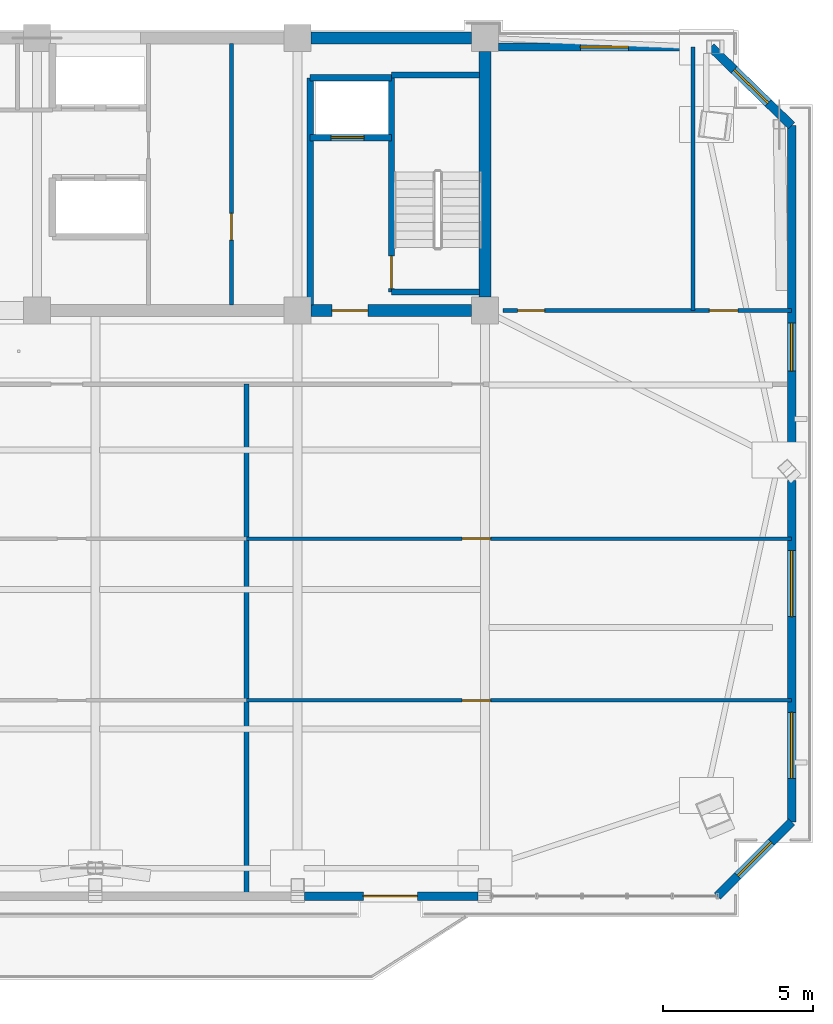
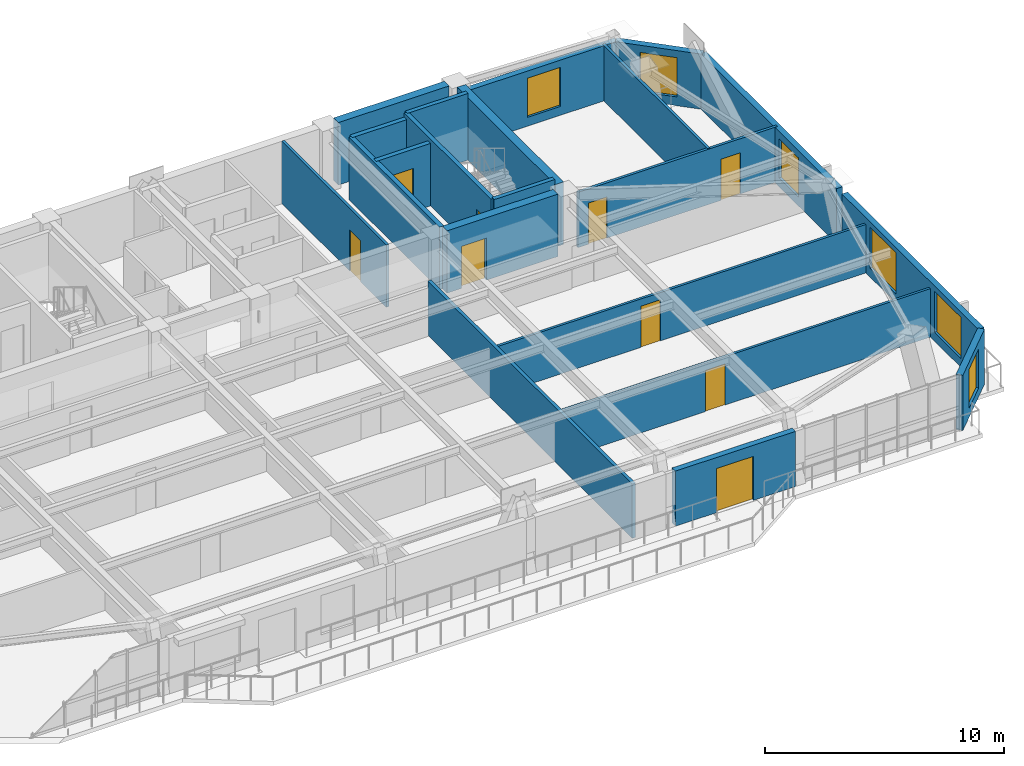
# One storey, part 10 of 15: 21 walls, 9 doors, 6 windows, 15 openings.
"""IFC4 building model written with IfcOpenShell, lengths in metres."""

from ifc_helpers import new_model, si_unit, direction, frame, frame_2d, origin, place, context, subcontext, project, spatial, rectangle, extrude, source, transform, mapped, material, layer, layer_set, type_object, element, fill, save


model = new_model("IFC4")

# Units and contexts
model_context = context("Model", 3, precision=1e-05, world=origin(), true_north=direction((0.0, 1.0)))
body_context = subcontext(model_context, "Body", "Model", "MODEL_VIEW")
ifc_project = project(units=[si_unit("LENGTHUNIT", "METRE"), si_unit("AREAUNIT", "SQUARE_METRE"), si_unit("VOLUMEUNIT", "CUBIC_METRE"), si_unit("PLANEANGLEUNIT", "RADIAN"), si_unit("MASSUNIT", "GRAM", prefix="KILO")], contexts=[model_context])

# Site, building, storey
site_placement = place(None, origin())
site = spatial("IfcSite", under=ifc_project, at=site_placement, CompositionType="ELEMENT")
building_placement = place(site_placement, origin())
building = spatial("IfcBuilding", under=site, at=building_placement, Name="Giltprow Tower", CompositionType="ELEMENT")
storey_placement = place(building_placement, frame((0.0, 0.0, 290.39990234375)))
storey = spatial("IfcBuildingStorey", under=building, at=storey_placement, Name="L74", CompositionType="ELEMENT", Elevation=290.39990234375)

# Wall, opening, window
ifc_material_1 = material(Name="Precast concrete C40", Category="concrete")
ifc_layer_1 = layer(ifc_material_1, 0.300048828125, Name="Precast concrete C40")
ifc_layer_set_1 = layer_set([ifc_layer_1], Name="Precast concrete C40")
wall_type_1 = type_object("IfcWallType", Name="EW-NOTCH-CHAMFER-300", PredefinedType="SOLIDWALL", material=ifc_layer_set_1)
wall_1_placement = place(storey_placement, frame((58.31396484375, 17.907958984375, 0.0), z_axis=(0.0, 0.0, 1.0), x_axis=(0.707106781187, 0.707106781187, 0.0)))
wall_1 = element("IfcWall", 1, at=wall_1_placement, inside=storey, type_object=wall_type_1, Name="L74 Corner Notch Wall SE", PredefinedType="SOLIDWALL", context=body_context, shape_type="SweptSolid", body=[
    extrude(rectangle(XDim=3.503173828125, YDim=0.300048828125, at=frame_2d((1.75146484375, 0.0))), origin(), (0.0, 0.0, 1.0), 2.815185546875),
])
opening_1_placement = place(wall_1_placement, frame((0.951904296875, 0.0, 0.449951171875)))
opening_1 = element("IfcOpeningElement", 2, at=opening_1_placement, cuts=wall_1, Name="Opening WN17", PredefinedType="OPENING", context=body_context, shape_type="SweptSolid", body=[
    extrude(rectangle(XDim=1.60009765625, YDim=2.0, at=frame_2d((0.800048828125, 1.0))), frame((0.0, 0.159912109375, 0.0), z_axis=(0.0, -1.0, 0.0), x_axis=(1.0, 0.0, 0.0)), (0.0, 0.0, 1.0), 0.320068359375),
])
ifc_material_2 = material(Name="Insulated glass", Category="glass")
window_type_1 = type_object("IfcWindowType", Name="WN-COR-1600x2000", PartitioningType="SINGLE_PANEL", PredefinedType="WINDOW", material=ifc_material_2)
shared_shape_1 = source(origin(), body_context, "Body", "SweptSolid", [
    extrude(rectangle(XDim=1.60009765625, YDim=2.0, at=frame_2d((0.800048828125, 1.0))), frame((0.0, 0.030029296875, 0.0), z_axis=(0.0, -1.0, 0.0), x_axis=(1.0, 0.0, 0.0)), (0.0, 0.0, 1.0), 0.06005859375),
])
window_1_placement = place(opening_1_placement, origin())
window_1 = element("IfcWindow", 3, at=window_1_placement, inside=storey, type_object=window_type_1, Name="L74 Corner Notch Window SE", OverallHeight=2.0, OverallWidth=1.60009765625, PartitioningType="SINGLE_PANEL", PredefinedType="WINDOW", context=body_context, shape_type="MappedRepresentation", body=[
    mapped(shared_shape_1, transform((0.0, 0.0, 0.0), x_axis=(1.0, 0.0, 0.0), y_axis=(0.0, 1.0, 0.0), z_axis=(0.0, 0.0, 1.0), scale=1.0)),
])
fill(opening_1, window_1)

wall_2_placement = place(storey_placement, frame((60.791015625, 43.6220703125, 0.0), z_axis=(0.0, 0.0, 1.0), x_axis=(-0.716851918275, 0.697225449382, 0.0)))
wall_2 = element("IfcWall", 4, at=wall_2_placement, inside=storey, type_object=wall_type_1, Name="L74 Corner Notch Wall NE", PredefinedType="SOLIDWALL", context=body_context, shape_type="SweptSolid", body=[
    extrude(rectangle(XDim=3.76904296875, YDim=0.300048828125, at=frame_2d((1.884521484375, 0.0))), origin(), (0.0, 0.0, 1.0), 2.815185546875),
])
opening_2_placement = place(wall_2_placement, frame((1.0849609375, 0.0, 0.449951171875)))
opening_2 = element("IfcOpeningElement", 5, at=opening_2_placement, cuts=wall_2, Name="Opening WN17", PredefinedType="OPENING", context=body_context, shape_type="SweptSolid", body=[
    extrude(rectangle(XDim=1.60009765625, YDim=2.0, at=frame_2d((0.800048828125, 1.0))), frame((0.0, 0.159912109375, 0.0), z_axis=(0.0, -1.0, 0.0), x_axis=(1.0, 0.0, 0.0)), (0.0, 0.0, 1.0), 0.320068359375),
])
window_2_placement = place(opening_2_placement, origin())
window_2 = element("IfcWindow", 6, at=window_2_placement, inside=storey, type_object=window_type_1, Name="L74 Corner Notch Window NE", OverallHeight=2.0, OverallWidth=1.60009765625, PartitioningType="SINGLE_PANEL", PredefinedType="WINDOW", context=body_context, shape_type="MappedRepresentation", body=[
    mapped(shared_shape_1, transform((0.0, 0.0, 0.0), x_axis=(1.0, 0.0, 0.0), y_axis=(0.0, 1.0, 0.0), z_axis=(0.0, 0.0, 1.0), scale=1.0)),
])
fill(opening_2, window_2)

# Wall, opening, door
ifc_layer_2 = layer(ifc_material_1, 0.280029296875, Name="Precast concrete C40")
ifc_layer_set_2 = layer_set([ifc_layer_2], Name="Precast concrete C40")
wall_type_2 = type_object("IfcWallType", Name="EW-TOW-BRONZE-280", PredefinedType="SOLIDWALL", material=ifc_layer_set_2)
wall_3_placement = place(storey_placement, frame((44.52490234375, 17.907958984375, 0.0), z_axis=(0.0, 0.0, 1.0), x_axis=(1.0, 0.0, 0.0)))
wall_3 = element("IfcWall", 7, at=wall_3_placement, inside=storey, type_object=wall_type_2, Name="L74 South Expressed Frame Wall 5", PredefinedType="SOLIDWALL", context=body_context, shape_type="SweptSolid", body=[
    extrude(rectangle(XDim=5.800048828125, YDim=0.280029296875, at=frame_2d((2.89990234375, 0.0))), origin(), (0.0, 0.0, 1.0), 2.815185546875),
])
opening_3_placement = place(wall_3_placement, frame((1.97509765625, 0.0, 0.0)))
opening_3 = element("IfcOpeningElement", 8, at=opening_3_placement, cuts=wall_3, Name="Opening ED25", PredefinedType="OPENING", context=body_context, shape_type="SweptSolid", body=[
    extrude(rectangle(XDim=1.800048828125, YDim=2.25, at=frame_2d((0.89990234375, 1.125))), frame((0.0, 0.14990234375, 0.0), z_axis=(0.0, -1.0, 0.0), x_axis=(1.0, 0.0, 0.0)), (0.0, 0.0, 1.0), 0.300048828125),
])
ifc_material_3 = material(Name="Anodized bronze and glass", Category="glass")
door_type_1 = type_object("IfcDoorType", Name="DR-BALC-SLIDE-1800", OperationType="SLIDING_TO_LEFT", PredefinedType="DOOR", material=ifc_material_3)
shared_shape_2 = source(origin(), body_context, "Body", "SweptSolid", [
    extrude(rectangle(XDim=1.800048828125, YDim=2.25, at=frame_2d((0.89990234375, 1.125))), frame((0.0, 0.02490234375, 0.0), z_axis=(0.0, -1.0, 0.0), x_axis=(1.0, 0.0, 0.0)), (0.0, 0.0, 1.0), 0.050048828125),
])
door_1_placement = place(opening_3_placement, origin())
door_1 = element("IfcDoor", 9, at=door_1_placement, inside=storey, type_object=door_type_1, Name="L74 Waterfront Balcony Sliding Door 2", OperationType="SLIDING_TO_LEFT", OverallHeight=2.25, OverallWidth=1.800048828125, PredefinedType="DOOR", context=body_context, shape_type="MappedRepresentation", body=[
    mapped(shared_shape_2, transform((0.0, 0.0, 0.0), x_axis=(1.0, 0.0, 0.0), y_axis=(0.0, 1.0, 0.0), z_axis=(0.0, 0.0, 1.0), scale=1.0)),
])
fill(opening_3, door_1)

# Wall, openings, windows
wall_4_placement = place(storey_placement, frame((60.791015625, 20.385009765625, 0.0), z_axis=(0.0, 0.0, 1.0), x_axis=(0.0, 1.0, 0.0)))
wall_4 = element("IfcWall", 10, at=wall_4_placement, inside=storey, type_object=wall_type_2, Name="L74 E Wing Masonry Wall 1", PredefinedType="SOLIDWALL", context=body_context, shape_type="SweptSolid", body=[
    extrude(rectangle(XDim=11.39404296875, YDim=0.280029296875, at=frame_2d((5.697021484375, 0.0))), origin(), (0.0, 0.0, 1.0), 2.815185546875),
])
opening_4_placement = place(wall_4_placement, frame((1.455078125, 0.0, 0.449951171875)))
opening_4 = element("IfcOpeningElement", 11, at=opening_4_placement, cuts=wall_4, Name="Opening WN27", PredefinedType="OPENING", context=body_context, shape_type="SweptSolid", body=[
    extrude(rectangle(XDim=2.199951171875, YDim=2.10009765625, at=frame_2d((1.10009765625, 1.050048828125))), frame((0.0, 0.14990234375, 0.0), z_axis=(0.0, -1.0, 0.0), x_axis=(1.0, 0.0, 0.0)), (0.0, 0.0, 1.0), 0.300048828125),
])
opening_5_placement = place(wall_4_placement, frame((6.85400390625, 0.0, 0.449951171875)))
opening_5 = element("IfcOpeningElement", 12, at=opening_5_placement, cuts=wall_4, Name="Opening WN27", PredefinedType="OPENING", context=body_context, shape_type="SweptSolid", body=[
    extrude(rectangle(XDim=2.199951171875, YDim=2.10009765625, at=frame_2d((1.10009765625, 1.050048828125))), frame((0.0, 0.14990234375, 0.0), z_axis=(0.0, -1.0, 0.0), x_axis=(1.0, 0.0, 0.0)), (0.0, 0.0, 1.0), 0.300048828125),
])
window_type_2 = type_object("IfcWindowType", Name="WN-RES-2200x2100", PartitioningType="TRIPLE_PANEL_VERTICAL", PredefinedType="WINDOW", material=ifc_material_2)
shared_shape_3 = source(origin(), body_context, "Body", "SweptSolid", [
    extrude(rectangle(XDim=2.199951171875, YDim=2.10009765625, at=frame_2d((1.10009765625, 1.050048828125))), frame((0.0, 0.030029296875, 0.0), z_axis=(0.0, -1.0, 0.0), x_axis=(1.0, 0.0, 0.0)), (0.0, 0.0, 1.0), 0.06005859375),
])
window_3_placement = place(opening_4_placement, origin())
window_3 = element("IfcWindow", 13, at=window_3_placement, inside=storey, type_object=window_type_2, Name="L74 E Wing Window 1-1A", OverallHeight=2.10009765625, OverallWidth=2.199951171875, PartitioningType="SINGLE_PANEL", PredefinedType="WINDOW", context=body_context, shape_type="MappedRepresentation", body=[
    mapped(shared_shape_3, transform((0.0, 0.0, 0.0), x_axis=(1.0, 0.0, 0.0), y_axis=(0.0, 1.0, 0.0), z_axis=(0.0, 0.0, 1.0), scale=1.0)),
])
fill(opening_4, window_3)
window_4_placement = place(opening_5_placement, origin())
window_4 = element("IfcWindow", 14, at=window_4_placement, inside=storey, type_object=window_type_2, Name="L74 E Wing Window 1-1B", OverallHeight=2.10009765625, OverallWidth=2.199951171875, PartitioningType="SINGLE_PANEL", PredefinedType="WINDOW", context=body_context, shape_type="MappedRepresentation", body=[
    mapped(shared_shape_3, transform((0.0, 0.0, 0.0), x_axis=(1.0, 0.0, 0.0), y_axis=(0.0, 1.0, 0.0), z_axis=(0.0, 0.0, 1.0), scale=1.0)),
])
fill(opening_5, window_4)

# Wall, opening, window
wall_5_placement = place(storey_placement, frame((60.791015625, 32.22900390625, 0.0), z_axis=(0.0, 0.0, 1.0), x_axis=(0.0, 1.0, 0.0)))
wall_5 = element("IfcWall", 15, at=wall_5_placement, inside=storey, type_object=wall_type_2, Name="L74 E Wing Masonry Wall 2", PredefinedType="SOLIDWALL", context=body_context, shape_type="SweptSolid", body=[
    extrude(rectangle(XDim=11.39306640625, YDim=0.280029296875, at=frame_2d((5.696533203125, 0.0))), origin(), (0.0, 0.0, 1.0), 2.815185546875),
])
opening_6_placement = place(wall_5_placement, frame((3.200927734375, 0.0, 0.449951171875)))
opening_6 = element("IfcOpeningElement", 16, at=opening_6_placement, cuts=wall_5, Name="Opening WN17", PredefinedType="OPENING", context=body_context, shape_type="SweptSolid", body=[
    extrude(rectangle(XDim=1.60009765625, YDim=2.0, at=frame_2d((0.800048828125, 1.0))), frame((0.0, 0.14990234375, 0.0), z_axis=(0.0, -1.0, 0.0), x_axis=(1.0, 0.0, 0.0)), (0.0, 0.0, 1.0), 0.300048828125),
])
window_5_placement = place(opening_6_placement, origin())
window_5 = element("IfcWindow", 17, at=window_5_placement, inside=storey, type_object=window_type_1, Name="L74 E Wing Window 2-1", OverallHeight=2.0, OverallWidth=1.60009765625, PartitioningType="SINGLE_PANEL", PredefinedType="WINDOW", context=body_context, shape_type="MappedRepresentation", body=[
    mapped(shared_shape_1, transform((0.0, 0.0, 0.0), x_axis=(1.0, 0.0, 0.0), y_axis=(0.0, 1.0, 0.0), z_axis=(0.0, 0.0, 1.0), scale=1.0)),
])
fill(opening_6, window_5)

wall_6_placement = place(storey_placement, frame((51.0, 46.25, 0.0), z_axis=(0.0, 0.0, 1.0), x_axis=(1.0, 0.0, 0.0)))
wall_6 = element("IfcWall", 18, at=wall_6_placement, inside=storey, type_object=wall_type_2, Name="L74 North-East Wing Wall", PredefinedType="SOLIDWALL", context=body_context, shape_type="SweptSolid", body=[
    extrude(rectangle(XDim=7.089111328125, YDim=0.280029296875, at=frame_2d((3.54443359375, 0.0))), origin(), (0.0, 0.0, 1.0), 2.815185546875),
])
opening_7_placement = place(wall_6_placement, frame((2.743896484375, 0.0, 0.449951171875)))
opening_7 = element("IfcOpeningElement", 19, at=opening_7_placement, cuts=wall_6, Name="Opening WN17", PredefinedType="OPENING", context=body_context, shape_type="SweptSolid", body=[
    extrude(rectangle(XDim=1.60009765625, YDim=2.0, at=frame_2d((0.800048828125, 1.0))), frame((0.0, 0.14990234375, 0.0), z_axis=(0.0, -1.0, 0.0), x_axis=(1.0, 0.0, 0.0)), (0.0, 0.0, 1.0), 0.300048828125),
])
window_6_placement = place(opening_7_placement, origin())
window_6 = element("IfcWindow", 20, at=window_6_placement, inside=storey, type_object=window_type_1, Name="L74 North-East Window", OverallHeight=2.0, OverallWidth=1.60009765625, PartitioningType="SINGLE_PANEL", PredefinedType="WINDOW", context=body_context, shape_type="MappedRepresentation", body=[
    mapped(shared_shape_1, transform((0.0, 0.0, 0.0), x_axis=(1.0, 0.0, 0.0), y_axis=(0.0, 1.0, 0.0), z_axis=(0.0, 0.0, 1.0), scale=1.0)),
])
fill(opening_7, window_6)

# Wall
ifc_material_4 = material(Name="Gypsum stud partition", Category="gypsum")
ifc_layer_3 = layer(ifc_material_4, 0.159912109375, Name="Gypsum stud partition")
ifc_layer_set_3 = layer_set([ifc_layer_3], Name="Gypsum stud partition")
wall_type_3 = type_object("IfcWallType", Name="IW-DEMISE-160", PredefinedType="PARTITIONING", material=ifc_layer_set_3)
wall_7_placement = place(storey_placement, frame((42.60009765625, 17.907958984375, 0.0), z_axis=(0.0, 0.0, 1.0), x_axis=(0.0, 1.0, 0.0)))
element("IfcWall", 21, at=wall_7_placement, inside=storey, type_object=wall_type_3, Name="L74 Apartment Party Wall 3", PredefinedType="PARTITIONING", context=body_context, shape_type="SweptSolid", body=[
    extrude(rectangle(XDim=17.092041015625, YDim=0.159912109375, at=frame_2d((8.5458984375, 0.0))), origin(), (0.0, 0.0, 1.0), 2.77001953125),
])

# Wall, opening, door
ifc_layer_4 = layer(ifc_material_4, 0.1201171875, Name="Gypsum stud partition")
ifc_layer_set_4 = layer_set([ifc_layer_4], Name="Gypsum stud partition")
wall_type_4 = type_object("IfcWallType", Name="IW-ROOM-120", PredefinedType="PARTITIONING", material=ifc_layer_set_4)
wall_8_placement = place(storey_placement, frame((42.60009765625, 24.43994140625, 0.0), z_axis=(0.0, 0.0, 1.0), x_axis=(1.0, 0.0, 0.0)))
wall_8 = element("IfcWall", 22, at=wall_8_placement, inside=storey, type_object=wall_type_4, Name="L74 Special Split 1", PredefinedType="PARTITIONING", context=body_context, shape_type="SweptSolid", body=[
    extrude(rectangle(XDim=18.19091796875, YDim=0.1201171875, at=frame_2d((9.095458984375, 0.0))), origin(), (0.0, 0.0, 1.0), 2.47021484375),
])
opening_8_placement = place(wall_8_placement, frame((7.196044921875, 0.0, 0.0)))
opening_8 = element("IfcOpeningElement", 23, at=opening_8_placement, cuts=wall_8, Name="Opening ID11", PredefinedType="OPENING", context=body_context, shape_type="SweptSolid", body=[
    extrude(rectangle(XDim=0.949951171875, YDim=2.10009765625, at=frame_2d((0.47509765625, 1.050048828125))), frame((0.0, 0.070068359375, 0.0), z_axis=(0.0, -1.0, 0.0), x_axis=(1.0, 0.0, 0.0)), (0.0, 0.0, 1.0), 0.14013671875),
])
ifc_material_5 = material(Name="Engineered timber", Category="wood")
door_type_2 = type_object("IfcDoorType", Name="DR-ROOM-950", OperationType="SINGLE_SWING_RIGHT", PredefinedType="DOOR", material=ifc_material_5)
shared_shape_4 = source(origin(), body_context, "Body", "SweptSolid", [
    extrude(rectangle(XDim=0.949951171875, YDim=2.10009765625, at=frame_2d((0.47509765625, 1.050048828125))), frame((0.0, 0.02490234375, 0.0), z_axis=(0.0, -1.0, 0.0), x_axis=(1.0, 0.0, 0.0)), (0.0, 0.0, 1.0), 0.050048828125),
])
door_2_placement = place(opening_8_placement, origin())
door_2 = element("IfcDoor", 24, at=door_2_placement, inside=storey, type_object=door_type_2, Name="L74 Valet Trunk Store 2 South Door", OperationType="SINGLE_SWING_LEFT", OverallHeight=2.10009765625, OverallWidth=0.949951171875, PredefinedType="DOOR", context=body_context, shape_type="MappedRepresentation", body=[
    mapped(shared_shape_4, transform((0.0, 0.0, 0.0), x_axis=(1.0, 0.0, 0.0), y_axis=(0.0, 1.0, 0.0), z_axis=(0.0, 0.0, 1.0), scale=1.0)),
])
fill(opening_8, door_2)

wall_9_placement = place(storey_placement, frame((42.60009765625, 29.839111328125, 0.0), z_axis=(0.0, 0.0, 1.0), x_axis=(1.0, 0.0, 0.0)))
wall_9 = element("IfcWall", 25, at=wall_9_placement, inside=storey, type_object=wall_type_4, Name="L74 Special Split 2", PredefinedType="PARTITIONING", context=body_context, shape_type="SweptSolid", body=[
    extrude(rectangle(XDim=18.19091796875, YDim=0.1201171875, at=frame_2d((9.095458984375, 0.0))), origin(), (0.0, 0.0, 1.0), 2.47021484375),
])
opening_9_placement = place(wall_9_placement, frame((7.196044921875, 0.0, 0.0)))
opening_9 = element("IfcOpeningElement", 26, at=opening_9_placement, cuts=wall_9, Name="Opening ID11", PredefinedType="OPENING", context=body_context, shape_type="SweptSolid", body=[
    extrude(rectangle(XDim=0.949951171875, YDim=2.10009765625, at=frame_2d((0.47509765625, 1.050048828125))), frame((0.0, 0.070068359375, 0.0), z_axis=(0.0, -1.0, 0.0), x_axis=(1.0, 0.0, 0.0)), (0.0, 0.0, 1.0), 0.14013671875),
])
door_3_placement = place(opening_9_placement, origin())
door_3 = element("IfcDoor", 27, at=door_3_placement, inside=storey, type_object=door_type_2, Name="L74 Valet Trunk Store 2 Mid Door", OperationType="SINGLE_SWING_RIGHT", OverallHeight=2.10009765625, OverallWidth=0.949951171875, PredefinedType="DOOR", context=body_context, shape_type="MappedRepresentation", body=[
    mapped(shared_shape_4, transform((0.0, 0.0, 0.0), x_axis=(1.0, 0.0, 0.0), y_axis=(0.0, 1.0, 0.0), z_axis=(0.0, 0.0, 1.0), scale=1.0)),
])
fill(opening_9, door_3)

ifc_material_6 = material(Name="Concrete C40", Category="concrete")
ifc_layer_5 = layer(ifc_material_6, 0.219970703125, Name="Concrete C40")
ifc_layer_set_5 = layer_set([ifc_layer_5], Name="Concrete C40")
wall_type_5 = type_object("IfcWallType", Name="IW-SHAFT-220", PredefinedType="SOLIDWALL", material=ifc_layer_set_5)
wall_10_placement = place(storey_placement, frame((44.719970703125, 43.219970703125, 0.0), z_axis=(0.0, 0.0, 1.0), x_axis=(1.0, 0.0, 0.0)))
wall_10 = element("IfcWall", 28, at=wall_10_placement, inside=storey, type_object=wall_type_5, Name="L74 FFL2 Front Shaft Wall", PredefinedType="SOLIDWALL", context=body_context, shape_type="SweptSolid", body=[
    extrude(rectangle(XDim=2.719970703125, YDim=0.219970703125, at=frame_2d((1.35986328125, 0.0))), origin(), (0.0, 0.0, 1.0), 3.18505859375),
])
opening_10_placement = place(wall_10_placement, frame((0.699951171875, 0.0, 0.0)))
opening_10 = element("IfcOpeningElement", 29, at=opening_10_placement, cuts=wall_10, Name="Opening LD-11", PredefinedType="OPENING", context=body_context, shape_type="SweptSolid", body=[
    extrude(rectangle(XDim=1.10009765625, YDim=2.199951171875, at=frame_2d((0.550048828125, 1.10009765625))), frame((0.0, 0.119873046875, 0.0), z_axis=(0.0, -1.0, 0.0), x_axis=(1.0, 0.0, 0.0)), (0.0, 0.0, 1.0), 0.239990234375),
])
ifc_material_7 = material(Name="Stainless steel", Category="steel")
door_type_3 = type_object("IfcDoorType", Name="DR-LIFT-LD1100", OperationType="SLIDING_TO_LEFT", PredefinedType="DOOR", material=ifc_material_7)
shared_shape_5 = source(origin(), body_context, "Body", "SweptSolid", [
    extrude(rectangle(XDim=1.10009765625, YDim=2.199951171875, at=frame_2d((0.550048828125, 1.10009765625))), frame((0.0, 0.02490234375, 0.0), z_axis=(0.0, -1.0, 0.0), x_axis=(1.0, 0.0, 0.0)), (0.0, 0.0, 1.0), 0.050048828125),
])
door_4_placement = place(opening_10_placement, origin())
door_4 = element("IfcDoor", 30, at=door_4_placement, inside=storey, type_object=door_type_3, Name="L74 FFL2 Landing Door", OperationType="SLIDING_TO_LEFT", OverallHeight=2.199951171875, OverallWidth=1.10009765625, PredefinedType="DOOR", context=body_context, shape_type="MappedRepresentation", body=[
    mapped(shared_shape_5, transform((0.0, 0.0, 0.0), x_axis=(1.0, 0.0, 0.0), y_axis=(0.0, 1.0, 0.0), z_axis=(0.0, 0.0, 1.0), scale=1.0)),
])
fill(opening_10, door_4)

# Walls
wall_11_placement = place(storey_placement, frame((44.719970703125, 45.219970703125, 0.0), z_axis=(0.0, 0.0, 1.0), x_axis=(1.0, 0.0, 0.0)))
element("IfcWall", 31, at=wall_11_placement, inside=storey, type_object=wall_type_5, Name="L74 FFL2 Back Shaft Wall", PredefinedType="SOLIDWALL", context=body_context, shape_type="SweptSolid", body=[
    extrude(rectangle(XDim=2.719970703125, YDim=0.219970703125, at=frame_2d((1.35986328125, 0.0))), origin(), (0.0, 0.0, 1.0), 3.18505859375),
])
wall_12_placement = place(storey_placement, frame((44.719970703125, 37.6298828125, 0.0), z_axis=(0.0, 0.0, 1.0), x_axis=(0.0, 1.0, 0.0)))
element("IfcWall", 32, at=wall_12_placement, inside=storey, type_object=wall_type_5, Name="L74 East Firefighting Lobby West Wall", PredefinedType="SOLIDWALL", context=body_context, shape_type="SweptSolid", body=[
    extrude(rectangle(XDim=7.590087890625, YDim=0.219970703125, at=frame_2d((3.794921875, 0.0))), origin(), (0.0, 0.0, 1.0), 3.18505859375),
])

# Wall, opening, door
ifc_layer_6 = layer(ifc_material_6, 0.199951171875, Name="Concrete C40")
ifc_layer_set_6 = layer_set([ifc_layer_6], Name="Concrete C40")
wall_type_6 = type_object("IfcWallType", Name="IW-STAIR-200", PredefinedType="SOLIDWALL", material=ifc_layer_set_6)
wall_13_placement = place(storey_placement, frame((47.43994140625, 38.070068359375, 0.0), z_axis=(0.0, 0.0, 1.0), x_axis=(0.0, 1.0, 0.0)))
wall_13 = element("IfcWall", 33, at=wall_13_placement, inside=storey, type_object=wall_type_6, Name="L74 Stair ST-3 West Bearing Wall", PredefinedType="SOLIDWALL", context=body_context, shape_type="SweptSolid", body=[
    extrude(rectangle(XDim=7.25, YDim=0.199951171875, at=frame_2d((3.625, 0.0))), origin(), (0.0, 0.0, 1.0), 3.400146484375),
])
opening_11_placement = place(wall_13_placement, frame((0.110107421875, 0.0, 0.0)))
opening_11 = element("IfcOpeningElement", 34, at=opening_11_placement, cuts=wall_13, Name="Opening ID33", PredefinedType="OPENING", context=body_context, shape_type="SweptSolid", body=[
    extrude(rectangle(XDim=1.10009765625, YDim=2.14990234375, at=frame_2d((0.550048828125, 1.074951171875))), frame((0.0, 0.10986328125, 0.0), z_axis=(0.0, -1.0, 0.0), x_axis=(1.0, 0.0, 0.0)), (0.0, 0.0, 1.0), 0.219970703125),
])
ifc_material_8 = material(Name="Steel fire leaf", Category="steel")
door_type_4 = type_object("IfcDoorType", Name="DR-STAIR-1100", OperationType="SINGLE_SWING_LEFT", PredefinedType="DOOR", material=ifc_material_8)
shared_shape_6 = source(origin(), body_context, "Body", "SweptSolid", [
    extrude(rectangle(XDim=1.10009765625, YDim=2.14990234375, at=frame_2d((0.550048828125, 1.074951171875))), frame((0.0, 0.02490234375, 0.0), z_axis=(0.0, -1.0, 0.0), x_axis=(1.0, 0.0, 0.0)), (0.0, 0.0, 1.0), 0.050048828125),
])
door_5_placement = place(opening_11_placement, origin())
door_5 = element("IfcDoor", 35, at=door_5_placement, inside=storey, type_object=door_type_4, Name="L74 Stair ST-3 Fire Door", OperationType="SINGLE_SWING_LEFT", OverallHeight=2.14990234375, OverallWidth=1.10009765625, PredefinedType="DOOR", context=body_context, shape_type="MappedRepresentation", body=[
    mapped(shared_shape_6, transform((0.0, 0.0, 0.0), x_axis=(1.0, 0.0, 0.0), y_axis=(0.0, 1.0, 0.0), z_axis=(0.0, 0.0, 1.0), scale=1.0)),
])
fill(opening_11, door_5)

# Walls
for number, where, z_axis, x_axis, name in (
    (36, (47.43994140625, 45.320068359375, 0.0), (0.0, 0.0, 1.0), (1.0, 0.0, 0.0), "L74 Stair ST-3 North Bearing Wall"),
    (37, (47.43994140625, 38.070068359375, 0.0), (0.0, 0.0, 1.0), (1.0, 0.0, 0.0), "L74 Stair ST-3 South Bearing Wall"),
):
    element("IfcWall", number, at=place(storey_placement, frame(where, z_axis=z_axis, x_axis=x_axis)), inside=storey, type_object=wall_type_6, Name=name, PredefinedType="SOLIDWALL", context=body_context, shape_type="SweptSolid", body=[
        extrude(rectangle(XDim=2.93017578125, YDim=0.199951171875, at=frame_2d((1.465087890625, 0.0))), origin(), (0.0, 0.0, 1.0), 3.400146484375),
    ])

# Wall, opening, door
ifc_material_9 = material(Name="Concrete C30", Category="concrete")
ifc_layer_7 = layer(ifc_material_9, 0.1298828125, Name="Concrete C30")
ifc_layer_set_7 = layer_set([ifc_layer_7], Name="Concrete C30")
wall_type_7 = type_object("IfcWallType", Name="IW-WET-130", PredefinedType="PARTITIONING", material=ifc_layer_set_7)
wall_14_placement = place(storey_placement, frame((42.10009765625, 37.6298828125, 0.0), z_axis=(0.0, 0.0, 1.0), x_axis=(0.0, 1.0, 0.0)))
wall_14 = element("IfcWall", 38, at=wall_14_placement, inside=storey, type_object=wall_type_7, Name="L74 East Core Vertical Divider", PredefinedType="PARTITIONING", context=body_context, shape_type="SweptSolid", body=[
    extrude(rectangle(XDim=8.740234375, YDim=0.1298828125, at=frame_2d((4.3701171875, 0.0))), origin(), (0.0, 0.0, 1.0), 3.18505859375),
])
opening_12_placement = place(wall_14_placement, frame((2.169921875, 0.0, 0.0)))
opening_12 = element("IfcOpeningElement", 39, at=opening_12_placement, cuts=wall_14, Name="Opening ID35", PredefinedType="OPENING", context=body_context, shape_type="SweptSolid", body=[
    extrude(rectangle(XDim=0.89990234375, YDim=2.10009765625, at=frame_2d((0.449951171875, 1.050048828125))), frame((0.0, 0.074951171875, 0.0), z_axis=(0.0, -1.0, 0.0), x_axis=(1.0, 0.0, 0.0)), (0.0, 0.0, 1.0), 0.14990234375),
])
door_type_5 = type_object("IfcDoorType", Name="DR-SHAFT-900", OperationType="SINGLE_SWING_LEFT", PredefinedType="DOOR", material=ifc_material_8)
shared_shape_7 = source(origin(), body_context, "Body", "SweptSolid", [
    extrude(rectangle(XDim=0.89990234375, YDim=2.10009765625, at=frame_2d((0.449951171875, 1.050048828125))), frame((0.0, 0.02490234375, 0.0), z_axis=(0.0, -1.0, 0.0), x_axis=(1.0, 0.0, 0.0)), (0.0, 0.0, 1.0), 0.050048828125),
])
door_6_placement = place(opening_12_placement, origin())
door_6 = element("IfcDoor", 40, at=door_6_placement, inside=storey, type_object=door_type_5, Name="L74 Core Wine Store Inner Door", OperationType="SINGLE_SWING_LEFT", OverallHeight=2.10009765625, OverallWidth=0.89990234375, PredefinedType="DOOR", context=body_context, shape_type="MappedRepresentation", body=[
    mapped(shared_shape_7, transform((0.0, 0.0, 0.0), x_axis=(1.0, 0.0, 0.0), y_axis=(0.0, 1.0, 0.0), z_axis=(0.0, 0.0, 1.0), scale=1.0)),
])
fill(opening_12, door_6)

# Wall, openings, doors
wall_15_placement = place(storey_placement, frame((51.14990234375, 37.449951171875, 0.0), z_axis=(0.0, 0.0, 1.0), x_axis=(1.0, 0.0, 0.0)))
wall_15 = element("IfcWall", 41, at=wall_15_placement, inside=storey, type_object=wall_type_7, Name="L74 NE Wing South Wall", PredefinedType="PARTITIONING", context=body_context, shape_type="SweptSolid", body=[
    extrude(rectangle(XDim=9.64111328125, YDim=0.1298828125, at=frame_2d((4.820556640625, 0.0))), origin(), (0.0, 0.0, 1.0), 2.820068359375),
])
opening_13_placement = place(wall_15_placement, frame((0.5, 0.0, 0.0)))
opening_13 = element("IfcOpeningElement", 42, at=opening_13_placement, cuts=wall_15, Name="Opening ID15", PredefinedType="OPENING", context=body_context, shape_type="SweptSolid", body=[
    extrude(rectangle(XDim=0.89990234375, YDim=2.10009765625, at=frame_2d((0.449951171875, 1.050048828125))), frame((0.0, 0.074951171875, 0.0), z_axis=(0.0, -1.0, 0.0), x_axis=(1.0, 0.0, 0.0)), (0.0, 0.0, 1.0), 0.14990234375),
])
opening_14_placement = place(wall_15_placement, frame((6.89794921875, 0.0, 0.0)))
opening_14 = element("IfcOpeningElement", 43, at=opening_14_placement, cuts=wall_15, Name="Opening ID11", PredefinedType="OPENING", context=body_context, shape_type="SweptSolid", body=[
    extrude(rectangle(XDim=0.949951171875, YDim=2.10009765625, at=frame_2d((0.47509765625, 1.050048828125))), frame((0.0, 0.074951171875, 0.0), z_axis=(0.0, -1.0, 0.0), x_axis=(1.0, 0.0, 0.0)), (0.0, 0.0, 1.0), 0.14990234375),
])
door_type_6 = type_object("IfcDoorType", Name="DR-WC-900", OperationType="SINGLE_SWING_LEFT", PredefinedType="DOOR", material=ifc_material_5)
door_7_placement = place(opening_13_placement, origin())
door_7 = element("IfcDoor", 44, at=door_7_placement, inside=storey, type_object=door_type_6, Name="L74 East Wing Washroom Door", OperationType="SINGLE_SWING_RIGHT", OverallHeight=2.10009765625, OverallWidth=0.89990234375, PredefinedType="DOOR", context=body_context, shape_type="MappedRepresentation", body=[
    mapped(shared_shape_7, transform((0.0, 0.0, 0.0), x_axis=(1.0, 0.0, 0.0), y_axis=(0.0, 1.0, 0.0), z_axis=(0.0, 0.0, 1.0), scale=1.0)),
])
fill(opening_13, door_7)
door_8_placement = place(opening_14_placement, origin())
door_8 = element("IfcDoor", 45, at=door_8_placement, inside=storey, type_object=door_type_2, Name="L74 Residents Reading Lounge Door", OperationType="SINGLE_SWING_LEFT", OverallHeight=2.10009765625, OverallWidth=0.949951171875, PredefinedType="DOOR", context=body_context, shape_type="MappedRepresentation", body=[
    mapped(shared_shape_4, transform((0.0, 0.0, 0.0), x_axis=(1.0, 0.0, 0.0), y_axis=(0.0, 1.0, 0.0), z_axis=(0.0, 0.0, 1.0), scale=1.0)),
])
fill(opening_14, door_8)

# Walls
wall_16_placement = place(storey_placement, frame((57.498046875, 37.449951171875, 0.0), z_axis=(0.0, 0.0, 1.0), x_axis=(0.0, 1.0, 0.0)))
element("IfcWall", 46, at=wall_16_placement, inside=storey, type_object=wall_type_7, Name="L74 NE Wing Divider", PredefinedType="PARTITIONING", context=body_context, shape_type="SweptSolid", body=[
    extrude(rectangle(XDim=8.800048828125, YDim=0.1298828125, at=frame_2d((4.39990234375, 0.0))), origin(), (0.0, 0.0, 1.0), 2.820068359375),
])
ifc_material_10 = material(Name="Concrete C45", Category="concrete")
ifc_layer_8 = layer(ifc_material_10, 0.39990234375, Name="Concrete C45")
ifc_layer_set_8 = layer_set([ifc_layer_8], Name="Concrete C45")
wall_type_8 = type_object("IfcWallType", Name="SW-EXT-400-C45", PredefinedType="SHEAR", material=ifc_layer_set_8)
wall_17_placement = place(storey_placement, frame((44.75, 46.550048828125, 0.0), z_axis=(0.0, 0.0, 1.0), x_axis=(1.0, 0.0, 0.0)))
element("IfcWall", 47, at=wall_17_placement, inside=storey, type_object=wall_type_8, Name="L74 North Rear Core Shear Wall 4", PredefinedType="SHEAR", context=body_context, shape_type="SweptSolid", body=[
    extrude(rectangle(XDim=5.35009765625, YDim=0.39990234375, at=frame_2d((2.675048828125, 0.0))), origin(), (0.0, 0.0, 1.0), 3.18505859375),
])

# Wall, opening, door
ifc_layer_9 = layer(ifc_material_10, 0.39990234375, Name="Concrete C45")
ifc_layer_set_9 = layer_set([ifc_layer_9], Name="Concrete C45")
wall_type_9 = type_object("IfcWallType", Name="SW-INT-400-C45", PredefinedType="SHEAR", material=ifc_layer_set_9)
wall_18_placement = place(storey_placement, frame((44.75, 37.449951171875, 0.0), z_axis=(0.0, 0.0, 1.0), x_axis=(1.0, 0.0, 0.0)))
wall_18 = element("IfcWall", 48, at=wall_18_placement, inside=storey, type_object=wall_type_9, Name="L74 South Rear Core Shear Wall East", PredefinedType="SHEAR", context=body_context, shape_type="SweptSolid", body=[
    extrude(rectangle(XDim=5.35009765625, YDim=0.39990234375, at=frame_2d((2.675048828125, 0.0))), origin(), (0.0, 0.0, 1.0), 3.18505859375),
])
opening_15_placement = place(wall_18_placement, frame((0.699951171875, 0.0, 0.0)))
opening_15 = element("IfcOpeningElement", 49, at=opening_15_placement, cuts=wall_18, Name="Opening ID19", PredefinedType="OPENING", context=body_context, shape_type="SweptSolid", body=[
    extrude(rectangle(XDim=1.199951171875, YDim=2.14990234375, at=frame_2d((0.60009765625, 1.074951171875))), frame((0.0, 0.2099609375, 0.0), z_axis=(0.0, -1.0, 0.0), x_axis=(1.0, 0.0, 0.0)), (0.0, 0.0, 1.0), 0.419921875),
])
door_type_7 = type_object("IfcDoorType", Name="DR-FFLOBBY-1200", OperationType="SINGLE_SWING_RIGHT", PredefinedType="DOOR", material=ifc_material_8)
shared_shape_8 = source(origin(), body_context, "Body", "SweptSolid", [
    extrude(rectangle(XDim=1.199951171875, YDim=2.14990234375, at=frame_2d((0.60009765625, 1.074951171875))), frame((0.0, 0.02490234375, 0.0), z_axis=(0.0, -1.0, 0.0), x_axis=(1.0, 0.0, 0.0)), (0.0, 0.0, 1.0), 0.050048828125),
])
door_9_placement = place(opening_15_placement, origin())
door_9 = element("IfcDoor", 50, at=door_9_placement, inside=storey, type_object=door_type_7, Name="L74 East Firefighting Lobby Entry Door", OperationType="SINGLE_SWING_RIGHT", OverallHeight=2.14990234375, OverallWidth=1.199951171875, PredefinedType="DOOR", context=body_context, shape_type="MappedRepresentation", body=[
    mapped(shared_shape_8, transform((0.0, 0.0, 0.0), x_axis=(1.0, 0.0, 0.0), y_axis=(0.0, 1.0, 0.0), z_axis=(0.0, 0.0, 1.0), scale=1.0)),
])
fill(opening_15, door_9)

# Wall
wall_19_placement = place(storey_placement, frame((50.550048828125, 37.89990234375, 0.0), z_axis=(0.0, 0.0, 1.0), x_axis=(0.0, 1.0, 0.0)))
element("IfcWall", 51, at=wall_19_placement, inside=storey, type_object=wall_type_9, Name="L74 E Rear Core Shear Wall", PredefinedType="SHEAR", context=body_context, shape_type="SweptSolid", body=[
    extrude(rectangle(XDim=8.2001953125, YDim=0.39990234375, at=frame_2d((4.10009765625, 0.0))), origin(), (0.0, 0.0, 1.0), 3.18505859375),
])

save(model, "model.ifc")
